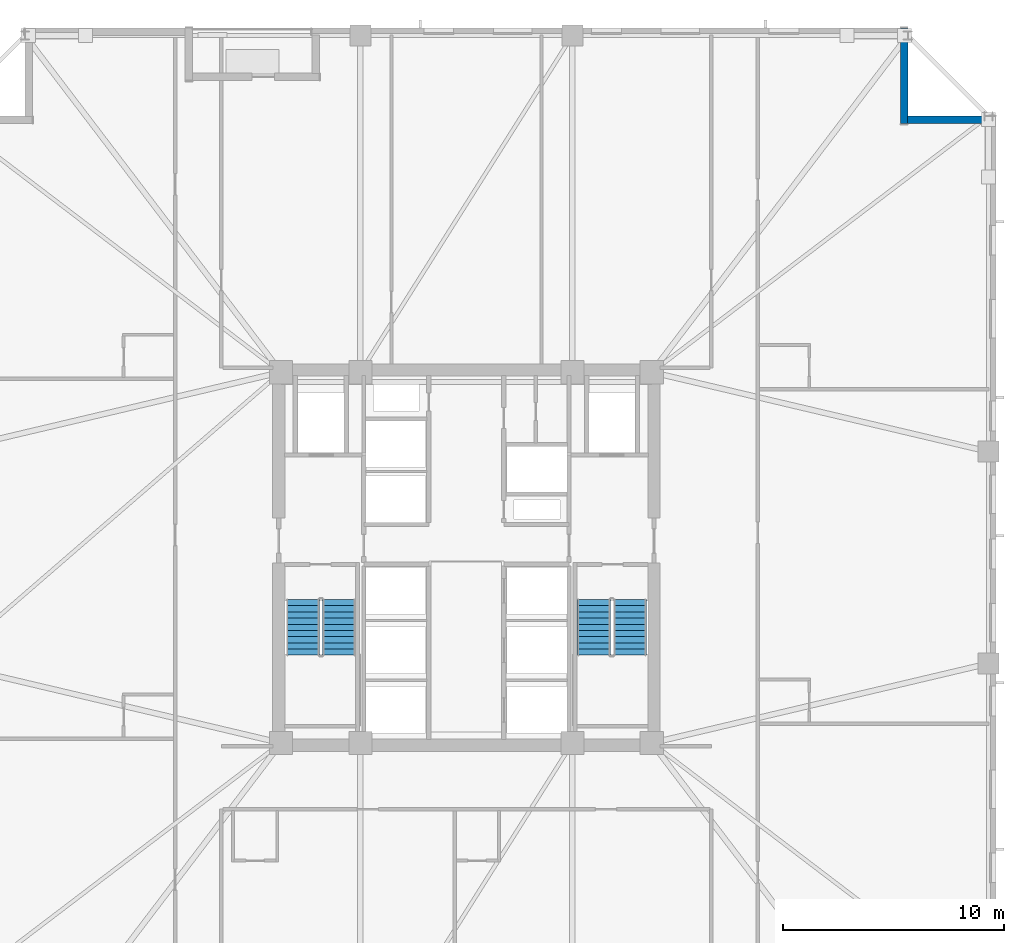
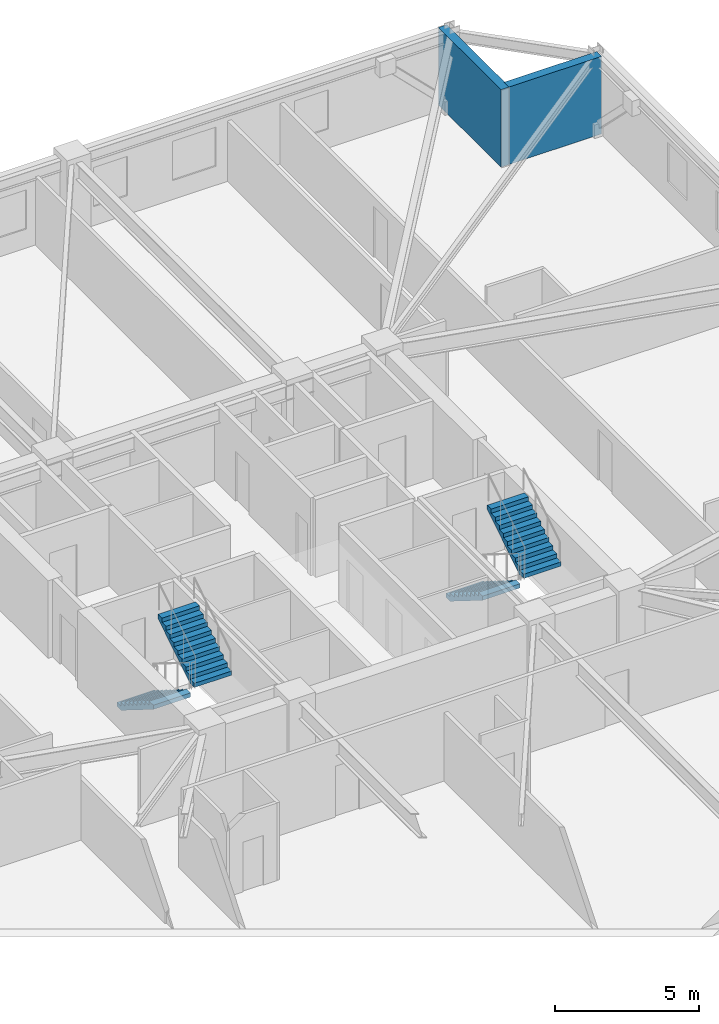
# One storey, part 6 of 11: 4 stair flights, 2 walls, 2 elements without a shape of their own.
"""IFC4 building model written with IfcOpenShell, lengths in metres."""

from ifc_helpers import new_model, si_unit, direction, frame, frame_2d, origin, place, context, subcontext, project, spatial, polyline, rectangle, outline, extrude, material, layer, layer_set, type_object, element, aggregate, save


model = new_model("IFC4")

# Units and contexts
model_context = context("Model", 3, precision=1e-05, world=origin(), true_north=direction((0.0, 1.0)))
body_context = subcontext(model_context, "Body", "Model", "MODEL_VIEW")
ifc_project = project(units=[si_unit("LENGTHUNIT", "METRE"), si_unit("AREAUNIT", "SQUARE_METRE"), si_unit("VOLUMEUNIT", "CUBIC_METRE"), si_unit("PLANEANGLEUNIT", "RADIAN"), si_unit("MASSUNIT", "GRAM", prefix="KILO")], contexts=[model_context])

# Site, building, storey
site_placement = place(None, origin())
site = spatial("IfcSite", under=ifc_project, at=site_placement, CompositionType="ELEMENT")
building_placement = place(site_placement, origin())
building = spatial("IfcBuilding", under=site, at=building_placement, Name="Cairnveth Concourse Tower", CompositionType="ELEMENT")
storey_placement = place(building_placement, frame((0.0, 0.0, 106.0)))
storey = spatial("IfcBuildingStorey", under=building, at=storey_placement, Name="L28", CompositionType="ELEMENT", Elevation=106.0)

# Walls
ifc_material_1 = material(Name="Hawthorn Red-Ochre Fired Clay Brick Masonry", Category="masonry")
ifc_layer = layer(ifc_material_1, 0.340087890625)
ifc_layer_set = layer_set([ifc_layer], Name="Hawthorn Red-Ochre Fired Clay Brick Masonry")
wall_type = type_object("IfcWallType", Name="ZONE 2 BRICK PIER SPANDREL WALL 340", PredefinedType="SOLIDWALL", material=ifc_layer_set)
wall_1_placement = place(storey_placement, frame((71.830078125, 63.0, 0.0), z_axis=(0.0, 0.0, 1.0), x_axis=(0.0, -1.0, 0.0)))
element("IfcWall", 1, at=wall_1_placement, inside=storey, type_object=wall_type, Name="Exterior Wall EW-L28-S01", PredefinedType="SOLIDWALL", context=body_context, shape_type="SweptSolid", body=[
    extrude(rectangle(XDim=4.340087890625, YDim=0.340087890625, at=frame_2d((2.169921875, 0.0))), origin(), (0.0, 0.0, 1.0), 3.280029296875),
])
wall_2_placement = place(storey_placement, frame((71.97802734375, 58.830078125, 0.0), z_axis=(0.0, 0.0, 1.0), x_axis=(1.0, 0.0, 0.0)))
element("IfcWall", 2, at=wall_2_placement, inside=storey, type_object=wall_type, Name="Exterior Wall EW-L28-S02", PredefinedType="SOLIDWALL", context=body_context, shape_type="SweptSolid", body=[
    extrude(rectangle(XDim=3.703857421875, YDim=0.340087890625, at=frame_2d((1.85205078125, 0.0))), origin(), (0.0, 0.0, 1.0), 3.280029296875),
])

# Stair, stair flights
ifc_material_2 = material(Name="Precast concrete N50 (50 MPa)", Category="concrete")
stair_type = type_object("IfcStairType", Name="CORE DOG-LEG FIRE STAIR 1500", PredefinedType="HALF_TURN_STAIR", material=ifc_material_2)
stair_1_placement = place(storey_placement, origin())
stair_1 = element("IfcStair", 3, at=stair_1_placement, inside=storey, type_object=stair_type, Name="L28 Fire-Isolated Stair ST-1", PredefinedType="HALF_TURN_STAIR")
stair_flight_type = type_object("IfcStairFlightType", Name="PRECAST CONCRETE STAIR FLIGHT 1500", PredefinedType="STRAIGHT", material=ifc_material_2)
stair_flight_1_placement = place(storey_placement, frame((44.590087890625, 37.10009765625, 0.0), z_axis=(0.0, 0.0, 1.0), x_axis=(0.0, -1.0, 0.0)))
stair_flight_1 = element("IfcStairFlight", 4, at=stair_flight_1_placement, type_object=stair_flight_type, Name="ST-1 flight 1", NumberOfRisers=10, NumberOfTreads=9, PredefinedType="STRAIGHT", RiserHeight=0.175, TreadLength=0.28, context=body_context, shape_type="SweptSolid", body=[
    extrude(outline(polyline([(0.0, 0.0), (0.0, 0.175048828125), (0.280029296875, 0.175048828125), (0.280029296875, 0.35009765625), (0.56005859375, 0.35009765625), (0.56005859375, 0.52490234375), (0.840087890625, 0.52490234375), (0.840087890625, 0.699951171875), (1.1201171875, 0.699951171875), (1.1201171875, 0.875), (1.39990234375, 0.875), (1.39990234375, 1.050048828125), (1.679931640625, 1.050048828125), (1.679931640625, 1.22509765625), (1.9599609375, 1.22509765625), (1.9599609375, 1.39990234375), (2.239990234375, 1.39990234375), (2.239990234375, 1.574951171875), (2.52001953125, 1.574951171875), (2.52001953125, 1.75), (2.52001953125, 1.398193359375), (0.28271484375, 0.0), (0.0, 0.0)])), frame((0.0, 0.75, 0.0), z_axis=(0.0, -1.0, 0.0), x_axis=(1.0, 0.0, 0.0)), (0.0, 0.0, 1.0), 1.5),
])
stair_flight_2_placement = place(storey_placement, frame((46.22998046875, 34.580078125, 1.75), z_axis=(0.0, 0.0, 1.0), x_axis=(0.0, 1.0, 0.0)))
stair_flight_2 = element("IfcStairFlight", 5, at=stair_flight_2_placement, type_object=stair_flight_type, Name="ST-1 flight 2", NumberOfRisers=10, NumberOfTreads=9, PredefinedType="STRAIGHT", RiserHeight=0.175, TreadLength=0.28, context=body_context, shape_type="SweptSolid", body=[
    extrude(outline(polyline([(0.0, 0.0), (0.0, 0.175048828125), (0.280029296875, 0.175048828125), (0.280029296875, 0.35009765625), (0.56005859375, 0.35009765625), (0.56005859375, 0.52490234375), (0.840087890625, 0.52490234375), (0.840087890625, 0.699951171875), (1.1201171875, 0.699951171875), (1.1201171875, 0.875), (1.39990234375, 0.875), (1.39990234375, 1.050048828125), (1.679931640625, 1.050048828125), (1.679931640625, 1.22509765625), (1.9599609375, 1.22509765625), (1.9599609375, 1.39990234375), (2.239990234375, 1.39990234375), (2.239990234375, 1.574951171875), (2.52001953125, 1.574951171875), (2.52001953125, 1.75), (2.52001953125, 1.398193359375), (0.28271484375, 0.0), (0.0, 0.0)])), frame((0.0, 0.75, 0.0), z_axis=(0.0, -1.0, 0.0), x_axis=(1.0, 0.0, 0.0)), (0.0, 0.0, 1.0), 1.5),
])
aggregate(stair_1, [stair_flight_1, stair_flight_2])

stair_2_placement = place(storey_placement, origin())
stair_2 = element("IfcStair", 6, at=stair_2_placement, inside=storey, type_object=stair_type, Name="L28 Fire-Isolated Stair ST-2", PredefinedType="HALF_TURN_STAIR")
stair_flight_3_placement = place(storey_placement, frame((57.77001953125, 37.10009765625, 0.0), z_axis=(0.0, 0.0, 1.0), x_axis=(0.0, -1.0, 0.0)))
stair_flight_3 = element("IfcStairFlight", 7, at=stair_flight_3_placement, type_object=stair_flight_type, Name="ST-2 flight 1", NumberOfRisers=10, NumberOfTreads=9, PredefinedType="STRAIGHT", RiserHeight=0.175, TreadLength=0.28, context=body_context, shape_type="SweptSolid", body=[
    extrude(outline(polyline([(0.0, 0.0), (0.0, 0.175048828125), (0.280029296875, 0.175048828125), (0.280029296875, 0.35009765625), (0.56005859375, 0.35009765625), (0.56005859375, 0.52490234375), (0.840087890625, 0.52490234375), (0.840087890625, 0.699951171875), (1.1201171875, 0.699951171875), (1.1201171875, 0.875), (1.39990234375, 0.875), (1.39990234375, 1.050048828125), (1.679931640625, 1.050048828125), (1.679931640625, 1.22509765625), (1.9599609375, 1.22509765625), (1.9599609375, 1.39990234375), (2.239990234375, 1.39990234375), (2.239990234375, 1.574951171875), (2.52001953125, 1.574951171875), (2.52001953125, 1.75), (2.52001953125, 1.398193359375), (0.28271484375, 0.0), (0.0, 0.0)])), frame((0.0, 0.75, 0.0), z_axis=(0.0, -1.0, 0.0), x_axis=(1.0, 0.0, 0.0)), (0.0, 0.0, 1.0), 1.5),
])
stair_flight_4_placement = place(storey_placement, frame((59.409912109375, 34.580078125, 1.75), z_axis=(0.0, 0.0, 1.0), x_axis=(0.0, 1.0, 0.0)))
stair_flight_4 = element("IfcStairFlight", 8, at=stair_flight_4_placement, type_object=stair_flight_type, Name="ST-2 flight 2", NumberOfRisers=10, NumberOfTreads=9, PredefinedType="STRAIGHT", RiserHeight=0.175, TreadLength=0.28, context=body_context, shape_type="SweptSolid", body=[
    extrude(outline(polyline([(0.0, 0.0), (0.0, 0.175048828125), (0.280029296875, 0.175048828125), (0.280029296875, 0.35009765625), (0.56005859375, 0.35009765625), (0.56005859375, 0.52490234375), (0.840087890625, 0.52490234375), (0.840087890625, 0.699951171875), (1.1201171875, 0.699951171875), (1.1201171875, 0.875), (1.39990234375, 0.875), (1.39990234375, 1.050048828125), (1.679931640625, 1.050048828125), (1.679931640625, 1.22509765625), (1.9599609375, 1.22509765625), (1.9599609375, 1.39990234375), (2.239990234375, 1.39990234375), (2.239990234375, 1.574951171875), (2.52001953125, 1.574951171875), (2.52001953125, 1.75), (2.52001953125, 1.398193359375), (0.28271484375, 0.0), (0.0, 0.0)])), frame((0.0, 0.75, 0.0), z_axis=(0.0, -1.0, 0.0), x_axis=(1.0, 0.0, 0.0)), (0.0, 0.0, 1.0), 1.5),
])
aggregate(stair_2, [stair_flight_3, stair_flight_4])

save(model, "model.ifc")
